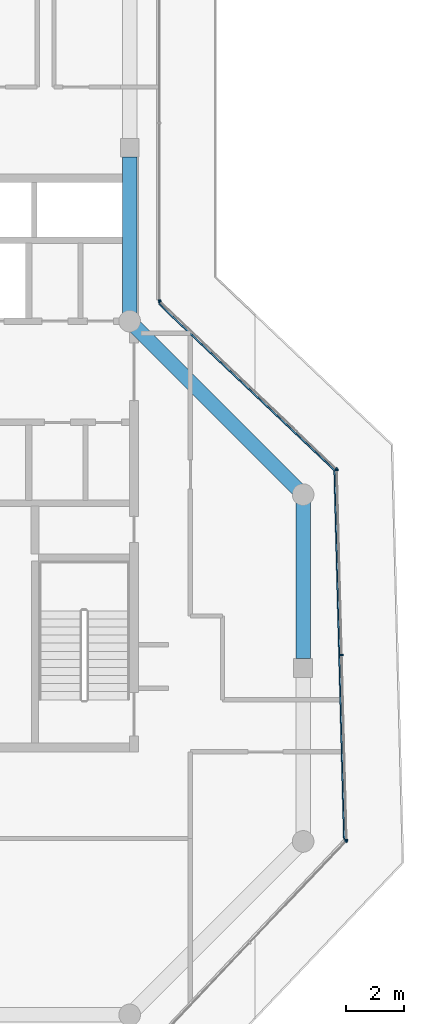
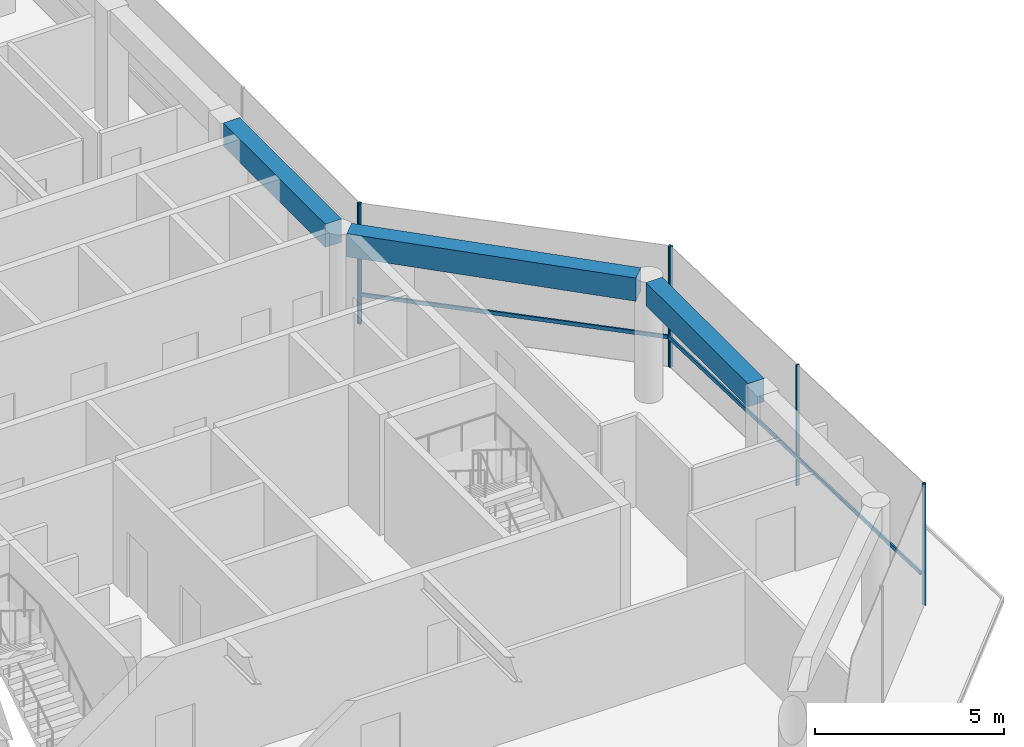
# One storey, part 6 of 20: 9 members, 3 beams, 4 elements without a shape of their own.
"""IFC4 building model written with IfcOpenShell, lengths in metres."""

from ifc_helpers import new_model, si_unit, direction, frame, origin, origin_2d, place, context, subcontext, project, spatial, rectangle, extrude, material, layer, layer_set, material_profile, profile_set, type_object, element, aggregate, save


model = new_model("IFC4")

# Units and contexts
model_context = context("Model", 3, precision=1e-05, world=origin(), true_north=direction((0.0, 1.0)))
body_context = subcontext(model_context, "Body", "Model", "MODEL_VIEW")
ifc_project = project(units=[si_unit("LENGTHUNIT", "METRE"), si_unit("AREAUNIT", "SQUARE_METRE"), si_unit("VOLUMEUNIT", "CUBIC_METRE"), si_unit("PLANEANGLEUNIT", "RADIAN"), si_unit("MASSUNIT", "GRAM", prefix="KILO")], contexts=[model_context])

# Site, building, storey
site_placement = place(None, origin())
site = spatial("IfcSite", under=ifc_project, at=site_placement, CompositionType="ELEMENT")
building_placement = place(site_placement, origin())
building = spatial("IfcBuilding", under=site, at=building_placement, Name="Welwitschia Terrace Campus", CompositionType="ELEMENT")
storey_placement = place(building_placement, frame((0.0, 0.0, 327.199951171875)))
storey = spatial("IfcBuildingStorey", under=building, at=storey_placement, Name="L73", CompositionType="ELEMENT", Elevation=327.199951171875)

# Curtain wall, member
ifc_material_1 = material(Name="Bronze anodised aluminium", Category="aluminium")
ifc_layer = layer(ifc_material_1, 0.10009765625)
ifc_layer_set = layer_set([ifc_layer], Name="Bronze anodised aluminium")
curtain_wall_type = type_object("IfcCurtainWallType", Name="Curtain wall CW5 crown 6000", PredefinedType="NOTDEFINED", material=ifc_layer_set)
curtain_wall_1_placement = place(storey_placement, origin())
curtain_wall_1 = element("IfcCurtainWall", 1, at=curtain_wall_1_placement, inside=storey, type_object=curtain_wall_type, Name="CW L73.4.0", PredefinedType="NOTDEFINED")
ifc_material_2 = material(Name="Bronze anodised aluminium", Category="aluminium")
ifc_material_profile_1 = material_profile(ifc_material_2, rectangle(XDim=0.10009765625, YDim=0.050048828125, at=origin_2d()))
ifc_profile_set_1 = profile_set([ifc_material_profile_1], Name="Bronze anodised aluminium")
member_type_1 = type_object("IfcMemberType", Name="Mullion 50x100", PredefinedType="MULLION", material=ifc_profile_set_1)
member_1_placement = place(storey_placement, frame((31.482666015625, 2.00390625, 0.0), z_axis=(0.0, 0.0, 1.0), x_axis=(-0.725374371012, 0.688354575694, 0.0)))
member_1 = element("IfcMember", 2, at=member_1_placement, type_object=member_type_1, Name="Mullion L73.4.0.2", PredefinedType="MULLION", context=body_context, shape_type="SweptSolid", body=[
    extrude(rectangle(XDim=0.10009765625, YDim=0.050048828125, at=origin_2d()), origin(), (0.0, 0.0, 1.0), 3.900146484375),
])
aggregate(curtain_wall_1, [member_1])

# Curtain wall, members
curtain_wall_2_placement = place(storey_placement, origin())
curtain_wall_2 = element("IfcCurtainWall", 3, at=curtain_wall_2_placement, inside=storey, type_object=curtain_wall_type, Name="CW L73.5.0", PredefinedType="NOTDEFINED")
member_2_placement = place(storey_placement, frame((31.499267578125, 2.047119140625, 0.0), z_axis=(0.0, 0.0, 1.0), x_axis=(-0.999657324976, -0.026176948308, 0.0)))
member_2 = element("IfcMember", 4, at=member_2_placement, type_object=member_type_1, Name="Mullion L73.5.0.0", PredefinedType="MULLION", context=body_context, shape_type="SweptSolid", body=[
    extrude(rectangle(XDim=0.10009765625, YDim=0.050048828125, at=origin_2d()), origin(), (0.0, 0.0, 1.0), 3.900146484375),
])
member_3_placement = place(storey_placement, frame((31.331787109375, 8.446533203125, 0.0), z_axis=(0.0, 0.0, 1.0), x_axis=(-0.999657324976, -0.026176948308, 0.0)))
member_3 = element("IfcMember", 5, at=member_3_placement, type_object=member_type_1, Name="Mullion L73.5.0.1", PredefinedType="MULLION", context=body_context, shape_type="SweptSolid", body=[
    extrude(rectangle(XDim=0.10009765625, YDim=0.050048828125, at=origin_2d()), origin(), (0.0, 0.0, 1.0), 3.900146484375),
])
member_4_placement = place(storey_placement, frame((31.1640625, 14.845947265625, 0.0), z_axis=(0.0, 0.0, 1.0), x_axis=(-0.999657324976, -0.026176948308, 0.0)))
member_4 = element("IfcMember", 6, at=member_4_placement, type_object=member_type_1, Name="Mullion L73.5.0.2", PredefinedType="MULLION", context=body_context, shape_type="SweptSolid", body=[
    extrude(rectangle(XDim=0.10009765625, YDim=0.050048828125, at=origin_2d()), origin(), (0.0, 0.0, 1.0), 3.900146484375),
])

curtain_wall_3_placement = place(storey_placement, origin())
curtain_wall_3 = element("IfcCurtainWall", 7, at=curtain_wall_3_placement, inside=storey, type_object=curtain_wall_type, Name="CW L73.6.0", PredefinedType="NOTDEFINED")
member_5_placement = place(storey_placement, frame((31.145263671875, 14.88818359375, 0.0), z_axis=(0.0, 0.0, 1.0), x_axis=(-0.688354575694, -0.725374371012, 0.0)))
member_5 = element("IfcMember", 8, at=member_5_placement, type_object=member_type_1, Name="Mullion L73.6.0.0", PredefinedType="MULLION", context=body_context, shape_type="SweptSolid", body=[
    extrude(rectangle(XDim=0.10009765625, YDim=0.050048828125, at=origin_2d()), origin(), (0.0, 0.0, 1.0), 3.900146484375),
])
member_6_placement = place(storey_placement, frame((25.048095703125, 20.67431640625, 0.0), z_axis=(0.0, 0.0, 1.0), x_axis=(-0.688354575694, -0.725374371012, 0.0)))
member_6 = element("IfcMember", 9, at=member_6_placement, type_object=member_type_1, Name="Mullion L73.6.0.1", PredefinedType="MULLION", context=body_context, shape_type="SweptSolid", body=[
    extrude(rectangle(XDim=0.10009765625, YDim=0.050048828125, at=origin_2d()), origin(), (0.0, 0.0, 1.0), 3.900146484375),
])

# Curtain wall, member
curtain_wall_4_placement = place(storey_placement, origin())
curtain_wall_4 = element("IfcCurtainWall", 10, at=curtain_wall_4_placement, inside=storey, type_object=curtain_wall_type, Name="CW L73.7.0", PredefinedType="NOTDEFINED")
member_7_placement = place(storey_placement, frame((25.030029296875, 20.716552734375, 0.0), z_axis=(0.0, 0.0, 1.0), x_axis=(-1.0, 0.0, 0.0)))
member_7 = element("IfcMember", 11, at=member_7_placement, type_object=member_type_1, Name="Mullion L73.7.0.0", PredefinedType="MULLION", context=body_context, shape_type="SweptSolid", body=[
    extrude(rectangle(XDim=0.10009765625, YDim=0.050048828125, at=origin_2d()), origin(), (0.0, 0.0, 1.0), 3.900146484375),
])
aggregate(curtain_wall_4, [member_7])

# Beams
ifc_material_3 = material(Name="Concrete C40/50", Category="concrete")
ifc_material_profile_2 = material_profile(ifc_material_3, rectangle(XDim=0.5, YDim=0.75, at=origin_2d()))
ifc_profile_set_2 = profile_set([ifc_material_profile_2], Name="Concrete C40/50")
beam_type = type_object("IfcBeamType", Name="Ring spandrel 500x750", PredefinedType="SPANDREL", material=ifc_profile_set_2)
beam_1_placement = place(storey_placement, frame((30.0, 8.325439453125, 3.525146484375), z_axis=(0.0, 1.0, 0.0), x_axis=(-1.0, 0.0, 0.0)))
element("IfcBeam", 12, at=beam_1_placement, inside=storey, type_object=beam_type, Name="Spandrel SP5", PredefinedType="SPANDREL", context=body_context, shape_type="SweptSolid", body=[
    extrude(rectangle(XDim=0.5, YDim=0.75, at=origin_2d()), origin(), (0.0, 0.0, 1.0), 5.39404296875),
])
beam_2_placement = place(storey_placement, frame((29.8017578125, 14.1982421875, 3.525146484375), z_axis=(-0.707106781187, 0.707106781187, 0.0), x_axis=(-0.707106781187, -0.707106781187, 0.0)))
element("IfcBeam", 13, at=beam_2_placement, inside=storey, type_object=beam_type, Name="Spandrel SP5", PredefinedType="SPANDREL", context=body_context, shape_type="SweptSolid", body=[
    extrude(rectangle(XDim=0.5, YDim=0.75, at=origin_2d()), origin(), (0.0, 0.0, 1.0), 7.924560546875),
])
beam_3_placement = place(storey_placement, frame((24.0, 20.280517578125, 3.525146484375), z_axis=(0.0, 1.0, 0.0), x_axis=(-1.0, 0.0, 0.0)))
element("IfcBeam", 14, at=beam_3_placement, inside=storey, type_object=beam_type, Name="Spandrel SP5", PredefinedType="SPANDREL", context=body_context, shape_type="SweptSolid", body=[
    extrude(rectangle(XDim=0.5, YDim=0.75, at=origin_2d()), origin(), (0.0, 0.0, 1.0), 5.39404296875),
])

# Member
ifc_material_4 = material(Name="Bronze anodised aluminium", Category="aluminium")
ifc_material_profile_3 = material_profile(ifc_material_4, rectangle(XDim=0.050048828125, YDim=0.1201171875, at=origin_2d()))
ifc_profile_set_3 = profile_set([ifc_material_profile_3], Name="Bronze anodised aluminium")
member_type_2 = type_object("IfcMemberType", Name="Transom 50x120", PredefinedType="USERDEFINED", material=ifc_profile_set_3)
member_8_placement = place(storey_placement, frame((31.423583984375, 2.070068359375, 1.0), z_axis=(-0.026168744865, 0.999657539757, 0.0), x_axis=(-0.999657539757, -0.026168744865, 0.0)))
member_8 = element("IfcMember", 15, at=member_8_placement, type_object=member_type_2, Name="Transom L73.5.0", ObjectType="TRANSOM", PredefinedType="USERDEFINED", context=body_context, shape_type="SweptSolid", body=[
    extrude(rectangle(XDim=0.050048828125, YDim=0.1201171875, at=origin_2d()), origin(), (0.0, 0.0, 1.0), 12.75341796875),
])

aggregate(curtain_wall_2, [member_2, member_3, member_4, member_8])

member_9_placement = place(storey_placement, frame((31.07568359375, 14.85107421875, 1.0), z_axis=(-0.725374288339, 0.688354662813, 0.0), x_axis=(-0.688354662813, -0.725374288339, 0.0)))
member_9 = element("IfcMember", 16, at=member_9_placement, type_object=member_type_2, Name="Transom L73.6.0", ObjectType="TRANSOM", PredefinedType="USERDEFINED", context=body_context, shape_type="SweptSolid", body=[
    extrude(rectangle(XDim=0.050048828125, YDim=0.1201171875, at=origin_2d()), origin(), (0.0, 0.0, 1.0), 8.355712890625),
])

aggregate(curtain_wall_3, [member_5, member_6, member_9])

save(model, "model.ifc")
